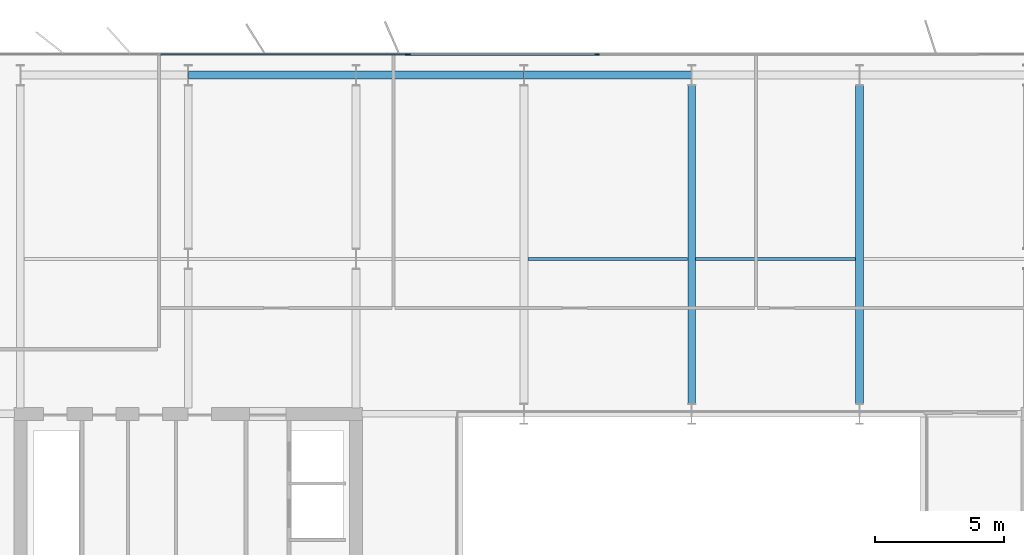
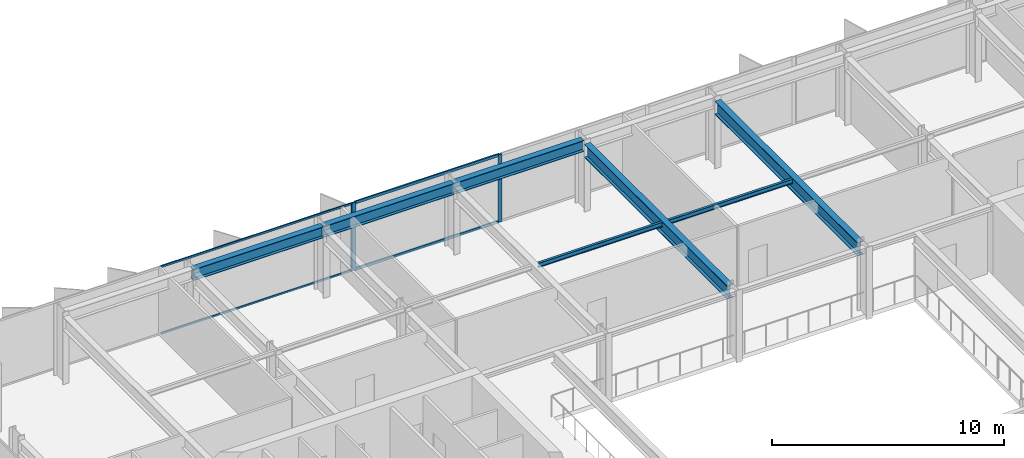
# One storey, part 11 of 23: 7 beams, 7 members, 2 elements without a shape of their own.
"""IFC4 building model written with IfcOpenShell, lengths in metres."""

from ifc_helpers import new_model, si_unit, direction, frame, origin, origin_2d, place, context, subcontext, project, spatial, rectangle, i_section, extrude, material, layer, layer_set, material_profile, profile_set, type_object, element, aggregate, save


model = new_model("IFC4")

# Units and contexts
model_context = context("Model", 3, precision=1e-05, world=origin(), true_north=direction((0.0, 1.0)))
body_context = subcontext(model_context, "Body", "Model", "MODEL_VIEW")
ifc_project = project(units=[si_unit("LENGTHUNIT", "METRE"), si_unit("AREAUNIT", "SQUARE_METRE"), si_unit("VOLUMEUNIT", "CUBIC_METRE"), si_unit("PLANEANGLEUNIT", "RADIAN"), si_unit("MASSUNIT", "GRAM", prefix="KILO")], contexts=[model_context])

# Site, building, storey
site_placement = place(None, origin())
site = spatial("IfcSite", under=ifc_project, at=site_placement, CompositionType="ELEMENT")
building_placement = place(site_placement, origin())
building = spatial("IfcBuilding", under=site, at=building_placement, Name="Putna Gate Headquarters", CompositionType="ELEMENT")
storey_placement = place(building_placement, frame((0.0, 0.0, 217.60009765625)))
storey = spatial("IfcBuildingStorey", under=building, at=storey_placement, Name="L54", CompositionType="ELEMENT", Elevation=217.60009765625)

# Beams
ifc_material_1 = material(Name="Steel S355J2", Category="steel")
ifc_material_profile_1 = material_profile(ifc_material_1, i_section(OverallWidth=0.300048828125, OverallDepth=0.699951171875, WebThickness=0.01708984375, FlangeThickness=0.031982421875, at=origin_2d()), Name="Steel S355J2")
ifc_profile_set_1 = profile_set([ifc_material_profile_1], Name="Steel S355J2")
beam_type_1 = type_object("IfcBeamType", Name="BM-GIRD-B-HEB700", PredefinedType="USERDEFINED", material=ifc_profile_set_1)
for number, where, z_axis, x_axis, name in (
    (1, (39.0, 33.39501953125, 3.22998046875), (0.0, 1.0, 0.0), (-1.0, 0.0, 0.0), "L54 North Primary Girder X39"),
    (2, (45.5, 33.39501953125, 3.22998046875), (0.0, 1.0, 0.0), (-1.0, 0.0, 0.0), "L54 North Primary Girder X45"),
):
    element("IfcBeam", number, at=place(storey_placement, frame(where, z_axis=z_axis, x_axis=x_axis)), inside=storey, type_object=beam_type_1, Name=name, ObjectType="GIRDER", PredefinedType="USERDEFINED", context=body_context, shape_type="SweptSolid", body=[
        extrude(i_section(OverallWidth=0.300048828125, OverallDepth=0.699951171875, WebThickness=0.01708984375, FlangeThickness=0.031982421875, at=origin_2d()), origin(), (0.0, 0.0, 1.0), 12.330078125),
    ])
ifc_material_profile_2 = material_profile(ifc_material_1, i_section(OverallWidth=0.1201171875, OverallDepth=0.239990234375, WebThickness=0.006103515625, FlangeThickness=0.009765625, at=origin_2d()), Name="Steel S355J2")
ifc_profile_set_2 = profile_set([ifc_material_profile_2], Name="Steel S355J2")
beam_type_2 = type_object("IfcBeamType", Name="BM-SEC-Z4-IPE240", PredefinedType="JOIST", material=ifc_profile_set_2)
for number, where, z_axis, x_axis, name in (
    (3, (32.654052734375, 39.0, 3.4599609375), (1.0, 0.0, 0.0), (0.0, 1.0, 0.0), "L54 North Secondary Beam 4"),
    (4, (39.154052734375, 39.0, 3.4599609375), (1.0, 0.0, 0.0), (0.0, 1.0, 0.0), "L54 North Secondary Beam 5"),
):
    element("IfcBeam", number, at=place(storey_placement, frame(where, z_axis=z_axis, x_axis=x_axis)), inside=storey, type_object=beam_type_2, Name=name, PredefinedType="JOIST", context=body_context, shape_type="SweptSolid", body=[
        extrude(i_section(OverallWidth=0.1201171875, OverallDepth=0.239990234375, WebThickness=0.006103515625, FlangeThickness=0.009765625, at=origin_2d()), origin(), (0.0, 0.0, 1.0), 6.19189453125),
    ])
ifc_material_profile_3 = material_profile(ifc_material_1, i_section(OverallWidth=0.300048828125, OverallDepth=0.590087890625, WebThickness=0.012939453125, FlangeThickness=0.02490234375, at=origin_2d()), Name="Steel S355J2")
ifc_profile_set_3 = profile_set([ifc_material_profile_3], Name="Steel S355J2")
beam_type_3 = type_object("IfcBeamType", Name="BM-SPAN-Z4-HEA600", PredefinedType="SPANDREL", material=ifc_profile_set_3)
for number, where, z_axis, x_axis, name in (
    (5, (19.506103515625, 46.1201171875, 3.284912109375), (1.0, 0.0, 0.0), (0.0, 1.0, 0.0), "L54 N Perimeter Spandrel 2"),
    (6, (26.006103515625, 46.1201171875, 3.284912109375), (1.0, 0.0, 0.0), (0.0, 1.0, 0.0), "L54 N Perimeter Spandrel 3"),
    (7, (32.506103515625, 46.1201171875, 3.284912109375), (1.0, 0.0, 0.0), (0.0, 1.0, 0.0), "L54 N Perimeter Spandrel 4"),
):
    element("IfcBeam", number, at=place(storey_placement, frame(where, z_axis=z_axis, x_axis=x_axis)), inside=storey, type_object=beam_type_3, Name=name, PredefinedType="SPANDREL", context=body_context, shape_type="SweptSolid", body=[
        extrude(i_section(OverallWidth=0.300048828125, OverallDepth=0.590087890625, WebThickness=0.012939453125, FlangeThickness=0.02490234375, at=origin_2d()), origin(), (0.0, 0.0, 1.0), 6.48779296875),
    ])

# Curtain wall, member
ifc_material_2 = material(Name="Anodised bronze aluminium curtain wall", Category="aluminium")
ifc_layer_1 = layer(ifc_material_2, 0.139892578125)
ifc_layer_set_1 = layer_set([ifc_layer_1], Name="Anodised bronze aluminium curtain wall")
curtain_wall_type_1 = type_object("IfcCurtainWallType", Name="CW-SYS-Z4", PredefinedType="USERDEFINED", material=ifc_layer_set_1)
curtain_wall_1_placement = place(storey_placement, origin())
curtain_wall_1 = element("IfcCurtainWall", 8, at=curtain_wall_1_placement, inside=storey, type_object=curtain_wall_type_1, Name="L54 North West Curtain Wall", ObjectType="STICK CURTAIN WALL", PredefinedType="USERDEFINED")
ifc_material_3 = material(Name="Anodised bronze aluminium EN AW-6060", Category="aluminium")
ifc_material_profile_4 = material_profile(ifc_material_3, rectangle(XDim=0.06005859375, YDim=0.139892578125, at=origin_2d()), Name="Anodised bronze aluminium EN AW-6060")
ifc_profile_set_4 = profile_set([ifc_material_profile_4], Name="Anodised bronze aluminium EN AW-6060")
member_type_1 = type_object("IfcMemberType", Name="MULL-CWM-4", PredefinedType="MULLION", material=ifc_profile_set_4)
member_1_placement = place(storey_placement, frame((27.969970703125, 46.919921875, 0.0), z_axis=(0.0, 0.0, 1.0), x_axis=(0.0, 1.0, 0.0)))
member_1 = element("IfcMember", 9, at=member_1_placement, type_object=member_type_1, Name="CWS-4 mullion 3", PredefinedType="MULLION", context=body_context, shape_type="SweptSolid", body=[
    extrude(rectangle(XDim=0.06005859375, YDim=0.139892578125, at=origin_2d()), origin(), (0.0, 0.0, 1.0), 3.579833984375),
])

# Curtain wall, members
ifc_layer_2 = layer(ifc_material_2, 0.179931640625)
ifc_layer_set_2 = layer_set([ifc_layer_2], Name="Anodised bronze aluminium curtain wall")
curtain_wall_type_2 = type_object("IfcCurtainWallType", Name="CW-SYS-ATR", PredefinedType="USERDEFINED", material=ifc_layer_set_2)
curtain_wall_2_placement = place(storey_placement, origin())
curtain_wall_2 = element("IfcCurtainWall", 10, at=curtain_wall_2_placement, inside=storey, type_object=curtain_wall_type_2, Name="L54 North Atrium Clear Glazing", ObjectType="ATRIUM GLAZING", PredefinedType="USERDEFINED")
ifc_material_profile_5 = material_profile(ifc_material_3, rectangle(XDim=0.070068359375, YDim=0.179931640625, at=origin_2d()), Name="Anodised bronze aluminium EN AW-6060")
ifc_profile_set_5 = profile_set([ifc_material_profile_5], Name="Anodised bronze aluminium EN AW-6060")
member_type_2 = type_object("IfcMemberType", Name="MULL-CWM-AT", PredefinedType="MULLION", material=ifc_profile_set_5)
member_2_placement = place(storey_placement, frame((28.034912109375, 46.919921875, 0.0), z_axis=(0.0, 0.0, 1.0), x_axis=(0.0, 1.0, 0.0)))
member_2 = element("IfcMember", 11, at=member_2_placement, type_object=member_type_2, Name="CWS-AT mullion 1", PredefinedType="MULLION", context=body_context, shape_type="SweptSolid", body=[
    extrude(rectangle(XDim=0.070068359375, YDim=0.179931640625, at=origin_2d()), origin(), (0.0, 0.0, 1.0), 3.579833984375),
])
member_3_placement = place(storey_placement, frame((35.333251953125, 46.919921875, 0.0), z_axis=(0.0, 0.0, 1.0), x_axis=(0.0, 1.0, 0.0)))
member_3 = element("IfcMember", 12, at=member_3_placement, type_object=member_type_2, Name="CWS-AT mullion 2", PredefinedType="MULLION", context=body_context, shape_type="SweptSolid", body=[
    extrude(rectangle(XDim=0.070068359375, YDim=0.179931640625, at=origin_2d()), origin(), (0.0, 0.0, 1.0), 3.579833984375),
])

# Member
ifc_material_profile_6 = material_profile(ifc_material_3, rectangle(XDim=0.06005859375, YDim=0.10009765625, at=origin_2d()), Name="Anodised bronze aluminium EN AW-6060")
ifc_profile_set_6 = profile_set([ifc_material_profile_6], Name="Anodised bronze aluminium EN AW-6060")
member_type_3 = type_object("IfcMemberType", Name="TRAN-CWT-4", PredefinedType="USERDEFINED", material=ifc_profile_set_6)
member_4_placement = place(storey_placement, frame((18.429931640625, 46.919921875, 0.02978515625), z_axis=(1.0, 0.0, 0.0), x_axis=(0.0, 1.0, 0.0)))
member_4 = element("IfcMember", 13, at=member_4_placement, type_object=member_type_3, Name="CWS-4 transom 2.1", ObjectType="TRANSOM", PredefinedType="USERDEFINED", context=body_context, shape_type="SweptSolid", body=[
    extrude(rectangle(XDim=0.06005859375, YDim=0.10009765625, at=origin_2d()), origin(), (0.0, 0.0, 1.0), 9.510009765625),
])

member_5_placement = place(storey_placement, frame((18.429931640625, 46.919921875, 3.5498046875), z_axis=(1.0, 0.0, 0.0), x_axis=(0.0, 1.0, 0.0)))
member_5 = element("IfcMember", 14, at=member_5_placement, type_object=member_type_3, Name="CWS-4 transom 2.2", ObjectType="TRANSOM", PredefinedType="USERDEFINED", context=body_context, shape_type="SweptSolid", body=[
    extrude(rectangle(XDim=0.06005859375, YDim=0.10009765625, at=origin_2d()), origin(), (0.0, 0.0, 1.0), 9.510009765625),
])

aggregate(curtain_wall_1, [member_1, member_4, member_5])

ifc_material_profile_7 = material_profile(ifc_material_3, rectangle(XDim=0.070068359375, YDim=0.139892578125, at=origin_2d()), Name="Anodised bronze aluminium EN AW-6060")
ifc_profile_set_7 = profile_set([ifc_material_profile_7], Name="Anodised bronze aluminium EN AW-6060")
member_type_4 = type_object("IfcMemberType", Name="TRAN-CWT-AT", PredefinedType="USERDEFINED", material=ifc_profile_set_7)
member_6_placement = place(storey_placement, frame((28.070068359375, 46.919921875, 0.034912109375), z_axis=(1.0, 0.0, 0.0), x_axis=(0.0, 1.0, 0.0)))
member_6 = element("IfcMember", 15, at=member_6_placement, type_object=member_type_4, Name="CWS-AT transom 1.1", ObjectType="TRANSOM", PredefinedType="USERDEFINED", context=body_context, shape_type="SweptSolid", body=[
    extrude(rectangle(XDim=0.070068359375, YDim=0.139892578125, at=origin_2d()), origin(), (0.0, 0.0, 1.0), 7.228271484375),
])

member_7_placement = place(storey_placement, frame((28.070068359375, 46.919921875, 3.544921875), z_axis=(1.0, 0.0, 0.0), x_axis=(0.0, 1.0, 0.0)))
member_7 = element("IfcMember", 16, at=member_7_placement, type_object=member_type_4, Name="CWS-AT transom 1.2", ObjectType="TRANSOM", PredefinedType="USERDEFINED", context=body_context, shape_type="SweptSolid", body=[
    extrude(rectangle(XDim=0.070068359375, YDim=0.139892578125, at=origin_2d()), origin(), (0.0, 0.0, 1.0), 7.228271484375),
])

aggregate(curtain_wall_2, [member_2, member_3, member_6, member_7])

save(model, "model.ifc")
